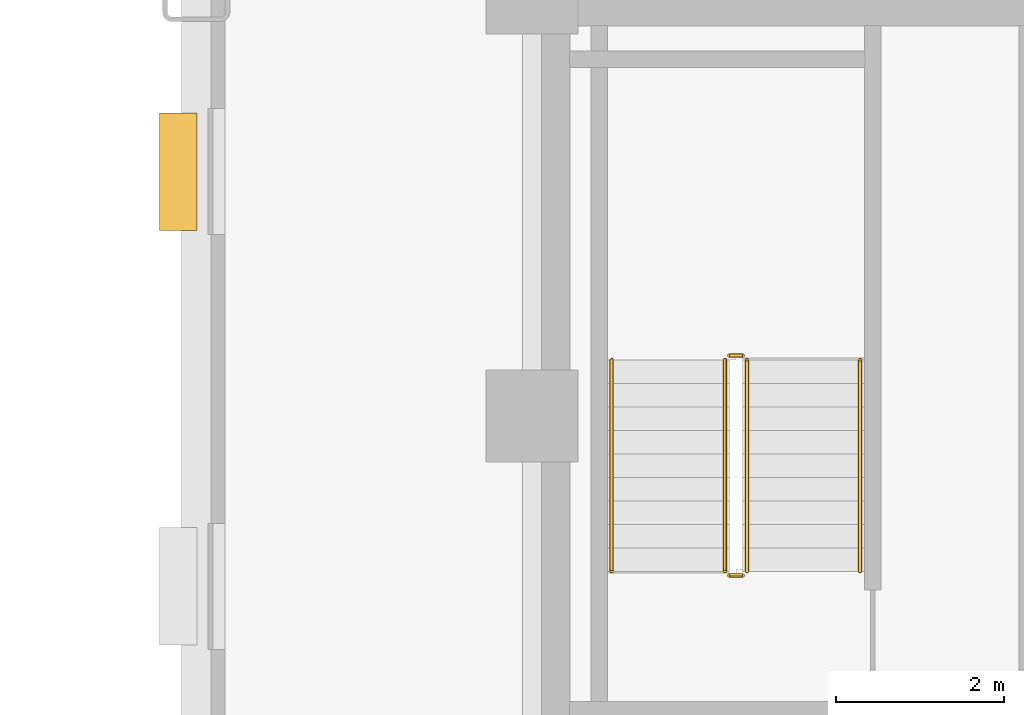
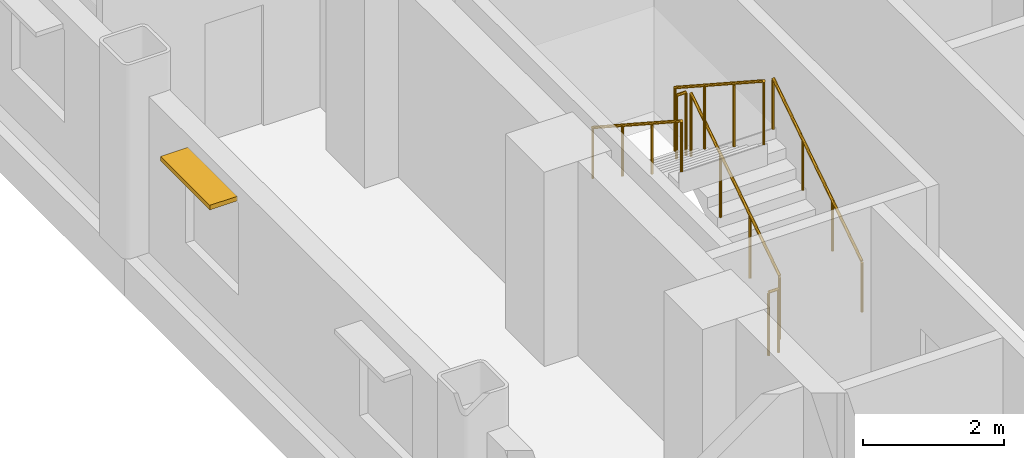
# One storey, part 12 of 14: 6 railings, 1 shading device.
"""IFC4 building model written with IfcOpenShell, lengths in metres."""

from ifc_helpers import new_model, si_unit, direction, frame, origin, origin_2d, place, context, subcontext, project, spatial, rectangle, circle, extrude, source, transform, mapped, material, type_object, type_shapes, element, save


model = new_model("IFC4")

# Units and contexts
model_context = context("Model", 3, precision=1e-05, world=origin(), true_north=direction((0.0, 1.0)))
body_context = subcontext(model_context, "Body", "Model", "MODEL_VIEW")
ifc_project = project(units=[si_unit("LENGTHUNIT", "METRE"), si_unit("AREAUNIT", "SQUARE_METRE"), si_unit("VOLUMEUNIT", "CUBIC_METRE"), si_unit("PLANEANGLEUNIT", "RADIAN"), si_unit("MASSUNIT", "GRAM", prefix="KILO")], contexts=[model_context])

# Site, building, storey
site_placement = place(None, origin())
site = spatial("IfcSite", under=ifc_project, at=site_placement, CompositionType="ELEMENT")
building_placement = place(site_placement, origin())
building = spatial("IfcBuilding", under=site, at=building_placement, Name="Nuvemarco Arch Tower", CompositionType="ELEMENT")
storey_placement = place(building_placement, frame((0.0, 0.0, 75.050048828125)))
storey = spatial("IfcBuildingStorey", under=building, at=storey_placement, Name="L19", CompositionType="ELEMENT", Elevation=75.050048828125)

# Railings
ifc_material_1 = material(Name="Brushed stainless steel handrail", Category="steel")
railing_type_1 = type_object("IfcRailingType", Name="RL-HANDRAIL-900", PredefinedType="HANDRAIL", material=ifc_material_1)
railing_1_placement = place(storey_placement, frame((-13.590087890625, 2.64990234375, 0.182373046875)))
element("IfcRailing", 1, at=railing_1_placement, inside=storey, type_object=railing_type_1, Name="L19 ST-1 stair handrail 1", PredefinedType="HANDRAIL", context=body_context, shape_type="SweptSolid", body=[
    extrude(circle(Radius=0.02392578125, at=origin_2d()), frame((0.0, 0.0, 0.8759765625), z_axis=(0.0, 0.837749427056, 0.546054848405), x_axis=(-1.0, 0.0, 0.0)), (0.0, 0.0, 1.0), 3.008056640625),
    extrude(circle(Radius=0.02099609375, at=origin_2d()), origin(), (0.0, 0.0, 1.0), 0.851806640625),
    extrude(circle(Radius=0.02099609375, at=origin_2d()), frame((0.0, 0.840087890625, 0.547607421875)), (0.0, 0.0, 1.0), 0.851806640625),
    extrude(circle(Radius=0.02099609375, at=origin_2d()), frame((0.0, 1.679931640625, 1.094970703125)), (0.0, 0.0, 1.0), 0.851806640625),
    extrude(circle(Radius=0.02099609375, at=origin_2d()), frame((0.0, 2.52001953125, 1.642578125)), (0.0, 0.0, 1.0), 0.851806640625),
])
railing_2_placement = place(storey_placement, frame((-16.550048828125, 5.169921875, 2.007568359375)))
element("IfcRailing", 2, at=railing_2_placement, inside=storey, type_object=railing_type_1, Name="L19 ST-1 stair handrail 2", PredefinedType="HANDRAIL", context=body_context, shape_type="SweptSolid", body=[
    extrude(circle(Radius=0.02392578125, at=origin_2d()), frame((0.0, 0.0, 0.8759765625), z_axis=(0.0, -0.837786554691, 0.545997883492), x_axis=(1.0, 0.0, 0.0)), (0.0, 0.0, 1.0), 3.008056640625),
    extrude(circle(Radius=0.02099609375, at=origin_2d()), origin(), (0.0, 0.0, 1.0), 0.851806640625),
    extrude(circle(Radius=0.02099609375, at=origin_2d()), frame((0.0, -0.840087890625, 0.54736328125)), (0.0, 0.0, 1.0), 0.851806640625),
    extrude(circle(Radius=0.02099609375, at=origin_2d()), frame((0.0, -1.679931640625, 1.094970703125)), (0.0, 0.0, 1.0), 0.851806640625),
    extrude(circle(Radius=0.02099609375, at=origin_2d()), frame((0.0, -2.52001953125, 1.642333984375)), (0.0, 0.0, 1.0), 0.851806640625),
])
ifc_material_2 = material(Name="Painted balustrade steel S355", Category="steel")
railing_type_2 = type_object("IfcRailingType", Name="RL-STAIR-GUARD", PredefinedType="GUARDRAIL", material=ifc_material_2)
railing_3_placement = place(storey_placement, frame((-14.93994140625, 2.64990234375, 0.182373046875)))
element("IfcRailing", 3, at=railing_3_placement, inside=storey, type_object=railing_type_2, Name="L19 ST-1 stair guard 1", PredefinedType="GUARDRAIL", context=body_context, shape_type="SweptSolid", body=[
    extrude(circle(Radius=0.02392578125, at=origin_2d()), frame((0.0, 0.0, 1.09619140625), z_axis=(0.0, 0.837749427056, 0.546054848405), x_axis=(-1.0, 0.0, 0.0)), (0.0, 0.0, 1.0), 3.008056640625),
    extrude(circle(Radius=0.02099609375, at=origin_2d()), origin(), (0.0, 0.0, 1.0), 1.072021484375),
    extrude(circle(Radius=0.02099609375, at=origin_2d()), frame((0.0, 0.840087890625, 0.547607421875)), (0.0, 0.0, 1.0), 1.072021484375),
    extrude(circle(Radius=0.02099609375, at=origin_2d()), frame((0.0, 1.679931640625, 1.094970703125)), (0.0, 0.0, 1.0), 1.072021484375),
    extrude(circle(Radius=0.02099609375, at=origin_2d()), frame((0.0, 2.52001953125, 1.642578125)), (0.0, 0.0, 1.0), 1.072021484375),
])
railing_4_placement = place(storey_placement, frame((-14.989990234375, 5.219970703125, 1.824951171875)))
element("IfcRailing", 4, at=railing_4_placement, inside=storey, type_object=railing_type_2, Name="L19 ST-1 stair guard 2", PredefinedType="GUARDRAIL", context=body_context, shape_type="SweptSolid", body=[
    extrude(circle(Radius=0.02392578125, at=origin_2d()), frame((0.0, 0.0, 1.09619140625), z_axis=(-1.0, 0.0, 0.0), x_axis=(0.0, -1.0, 0.0)), (0.0, 0.0, 1.0), 0.159912109375),
    extrude(circle(Radius=0.02099609375, at=origin_2d()), origin(), (0.0, 0.0, 1.0), 1.072021484375),
    extrude(circle(Radius=0.02099609375, at=origin_2d()), frame((-0.159912109375, 0.0, 0.0)), (0.0, 0.0, 1.0), 1.072021484375),
])
railing_5_placement = place(storey_placement, frame((-15.199951171875, 5.169921875, 2.007568359375)))
element("IfcRailing", 5, at=railing_5_placement, inside=storey, type_object=railing_type_2, Name="L19 ST-1 stair guard 3", PredefinedType="GUARDRAIL", context=body_context, shape_type="SweptSolid", body=[
    extrude(circle(Radius=0.02392578125, at=origin_2d()), frame((0.0, 0.0, 1.09619140625), z_axis=(0.0, -0.837786554691, 0.545997883492), x_axis=(1.0, 0.0, 0.0)), (0.0, 0.0, 1.0), 3.008056640625),
    extrude(circle(Radius=0.02099609375, at=origin_2d()), origin(), (0.0, 0.0, 1.0), 1.072021484375),
    extrude(circle(Radius=0.02099609375, at=origin_2d()), frame((0.0, -0.840087890625, 0.54736328125)), (0.0, 0.0, 1.0), 1.072021484375),
    extrude(circle(Radius=0.02099609375, at=origin_2d()), frame((0.0, -1.679931640625, 1.094970703125)), (0.0, 0.0, 1.0), 1.072021484375),
    extrude(circle(Radius=0.02099609375, at=origin_2d()), frame((0.0, -2.52001953125, 1.642333984375)), (0.0, 0.0, 1.0), 1.072021484375),
])
railing_6_placement = place(storey_placement, frame((-14.989990234375, 2.60009765625, 0.0)))
element("IfcRailing", 6, at=railing_6_placement, inside=storey, type_object=railing_type_2, Name="L19 ST-1 stair guard 4", PredefinedType="GUARDRAIL", context=body_context, shape_type="SweptSolid", body=[
    extrude(circle(Radius=0.02392578125, at=origin_2d()), frame((0.0, 0.0, 1.09619140625), z_axis=(-1.0, 0.0, 0.0), x_axis=(0.0, -1.0, 0.0)), (0.0, 0.0, 1.0), 0.159912109375),
    extrude(circle(Radius=0.02099609375, at=origin_2d()), origin(), (0.0, 0.0, 1.0), 1.072021484375),
    extrude(circle(Radius=0.02099609375, at=origin_2d()), frame((-0.159912109375, 0.0, 0.0)), (0.0, 0.0, 1.0), 1.072021484375),
])

# Shading device
ifc_material_3 = material(Name="Anodised aluminium 6063-T6", Category="aluminium")
shading_device_type = type_object("IfcShadingDeviceType", Name="SHD-BRISE-NARROW", PredefinedType="USERDEFINED", material=ifc_material_3)
shared_shape = source(origin(), body_context, "Body", "SweptSolid", [
    extrude(rectangle(XDim=1.39990234375, YDim=0.449951171875, at=origin_2d()), origin(), (0.0, 0.0, 1.0), 0.080078125),
])
type_shapes(shading_device_type, [shared_shape])
shading_device_placement = place(storey_placement, frame((-21.715087890625, 7.41162109375, 2.405029296875), z_axis=(0.0, 0.0, 1.0), x_axis=(0.0, 1.0, 0.0)))
element("IfcShadingDevice", 7, at=shading_device_placement, inside=storey, type_object=shading_device_type, Name="L19 horizontal brise-soleil sunshade", ObjectType="SUNSHADE", PredefinedType="USERDEFINED", context=body_context, shape_type="MappedRepresentation", body=[
    mapped(shared_shape, transform((0.0, 0.0, 0.0), scale=1.0)),
])

save(model, "model.ifc")
